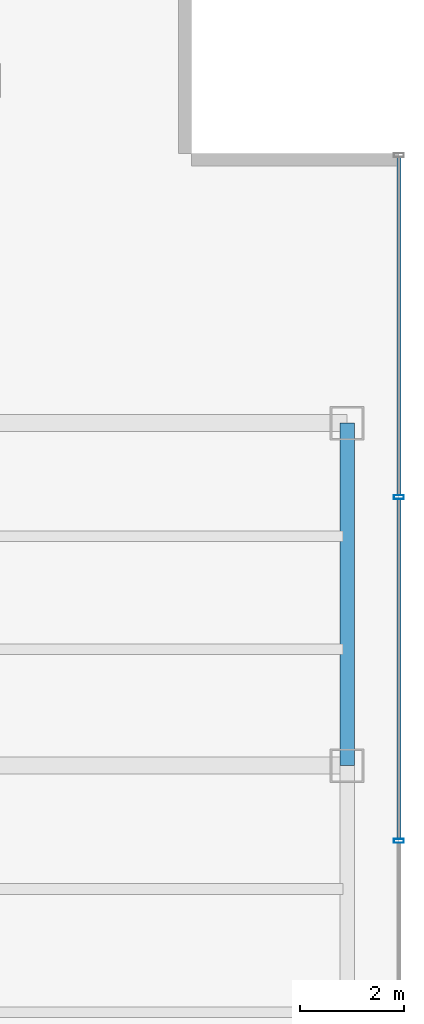
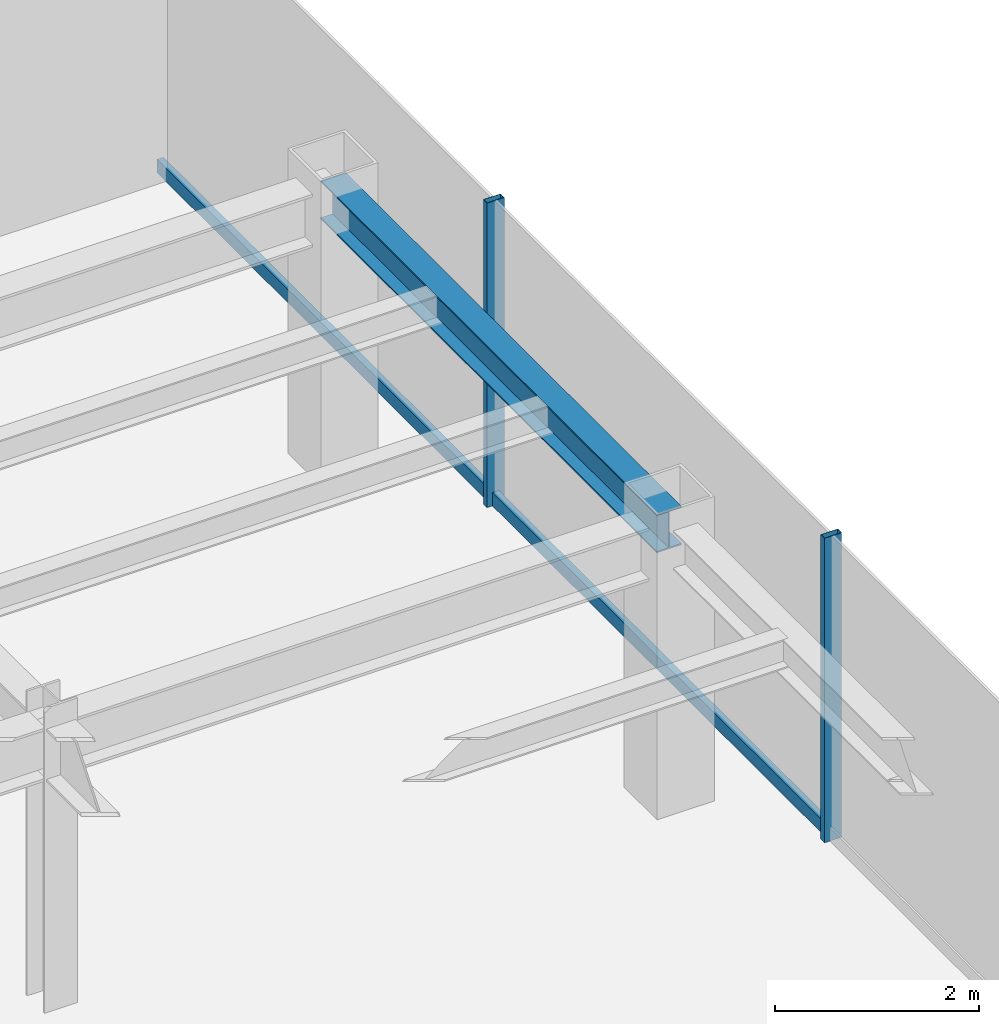
# One storey, part 13 of 25: 4 members, 1 beam, 1 element without a shape of its own.
"""IFC4 building model written with IfcOpenShell, lengths in metres."""

import ifcopenshell
import ifcopenshell.guid

model = None  # the IFC model being written
_history = None  # IfcOwnerHistory: only IFC2X3 demands one
_inside = {}  # id of a spatial element -> (the spatial element, [elements in it])
_under = {}  # id of a project, library or spatial element -> (it, [spatial elements below it])
_declared = {}  # id of a project -> (the project, [libraries it declares])
_typed = {}  # id of a type object -> (the type object, [elements of that type])
_made_of = {}  # id of a material, layer set ... -> (it, [elements and type objects made of it])


def new_model(schema):
    """Start an empty IFC model of exactly this schema.

    Asked for "IFC4X3", IfcOpenShell would pick the latest addendum, in which some entities
    have other attributes; the version numbers below select the first issue.
    IFC2X3 requires an IfcOwnerHistory on every rooted entity: one is made here for all.
    """
    global model, _history
    if schema == "IFC4X3":
        model = ifcopenshell.file(schema_version=(4, 3, 0, 0))
    else:
        model = ifcopenshell.file(schema=schema)
    _inside.clear()
    _under.clear()
    _declared.clear()
    _typed.clear()
    _made_of.clear()
    _history = None
    if model.schema == "IFC2X3":
        org = make("IfcOrganization", Name="unknown")
        user = make(
            "IfcPersonAndOrganization",
            ThePerson=make("IfcPerson", FamilyName="unknown"),
            TheOrganization=org,
        )
        app = make(
            "IfcApplication",
            ApplicationDeveloper=org,
            Version="unknown",
            ApplicationFullName="unknown",
            ApplicationIdentifier="unknown",
        )
        _history = make(
            "IfcOwnerHistory",
            OwningUser=user,
            OwningApplication=app,
            ChangeAction="ADDED",
            CreationDate=0,
        )
    return model


def make(cls, **values):
    """One entity of the class cls with the attributes given. An attribute that is None is left unset."""
    return model.create_entity(
        cls, **{name: value for name, value in values.items() if value is not None}
    )


def rooted(cls, **values):
    """An entity with a GlobalId (a new one), such as an element, a storey or a relation."""
    return make(cls, GlobalId=ifcopenshell.guid.new(), OwnerHistory=_history, **values)


def si_unit(unit_type, name, prefix=None):
    """IfcSIUnit, for example si_unit("LENGTHUNIT", "METRE", prefix="MILLI")."""
    return make("IfcSIUnit", UnitType=unit_type, Prefix=prefix, Name=name)


def derived_unit(unit_type, elements):
    """IfcDerivedUnit: a product of units, each with its exponent."""
    return make(
        "IfcDerivedUnit",
        Elements=[
            make("IfcDerivedUnitElement", Unit=unit, Exponent=power)
            for unit, power in elements
        ],
        UnitType=unit_type,
    )


def assignment(units):
    """IfcUnitAssignment: the units of a project."""
    return None if units is None else make("IfcUnitAssignment", Units=units)


def point(xyz):
    """IfcCartesianPoint."""
    return None if xyz is None else make("IfcCartesianPoint", Coordinates=xyz)


def direction(xyz):
    """IfcDirection."""
    return None if xyz is None else make("IfcDirection", DirectionRatios=xyz)


def frame(location, z_axis=None, x_axis=None):
    """IfcAxis2Placement3D, a coordinate frame: its origin and axes. An axis left out is left unset."""
    return make(
        "IfcAxis2Placement3D",
        Location=point(location),
        Axis=direction(z_axis),
        RefDirection=direction(x_axis),
    )


def frame_2d(location, x_axis=None):
    """IfcAxis2Placement2D, a coordinate frame in the plane: its origin and x axis."""
    return make(
        "IfcAxis2Placement2D", Location=point(location), RefDirection=direction(x_axis)
    )


def origin():
    """The frame at (0, 0, 0) with its axes left unset."""
    return frame((0.0, 0.0, 0.0))


def origin_2d():
    """The frame at (0, 0) in the plane with its x axis left unset."""
    return frame_2d((0.0, 0.0))


def place(relative_to, where):
    """IfcLocalPlacement: puts the frame where relative to a parent placement (None: the world)."""
    return make(
        "IfcLocalPlacement", PlacementRelTo=relative_to, RelativePlacement=where
    )


def context(
    kind, dimensions, precision=None, world=None, true_north=None, identifier=None
):
    """IfcGeometricRepresentationContext, for example the 3D "Model" context."""
    return make(
        "IfcGeometricRepresentationContext",
        ContextIdentifier=identifier,
        ContextType=kind,
        CoordinateSpaceDimension=dimensions,
        Precision=precision,
        WorldCoordinateSystem=world,
        TrueNorth=true_north,
    )


def subcontext(parent, identifier, kind, view, scale=None):
    """IfcGeometricRepresentationSubContext, for example "Body" below "Model"."""
    return make(
        "IfcGeometricRepresentationSubContext",
        ContextIdentifier=identifier,
        ContextType=kind,
        ParentContext=parent,
        TargetScale=scale,
        TargetView=view,
    )


def project(units=None, contexts=None):
    """IfcProject with its units and contexts."""
    return rooted(
        "IfcProject",
        Name="project",
        RepresentationContexts=contexts,
        UnitsInContext=assignment(units),
    )


def spatial(cls, under=None, at=None, **own):
    """A site, building, storey or space (cls), placed at a placement, below another one or the project."""
    s = rooted(cls, ObjectPlacement=at, **own)
    if under is not None:
        _under.setdefault(under.id(), (under, []))[1].append(s)
    return s


def profile(cls, at=None, kind="AREA", **sizes):
    """A parametric profile (cls). Its sizes go by their IFC names, for example OverallWidth=200.0."""
    return make(cls, ProfileType=kind, Position=at, **sizes)


def hollow_rectangle(**sizes):
    """IfcRectangleHollowProfileDef."""
    return profile("IfcRectangleHollowProfileDef", **sizes)


def i_section(**sizes):
    """IfcIShapeProfileDef."""
    return profile("IfcIShapeProfileDef", **sizes)


def extrude(swept, where, along, depth):
    """IfcExtrudedAreaSolid: the profile swept, set in the frame where, extruded along a direction by depth."""
    return make(
        "IfcExtrudedAreaSolid",
        SweptArea=swept,
        Position=where,
        ExtrudedDirection=direction(along),
        Depth=depth,
    )


def shape(context_of_items, identifier, shape_type, items):
    """IfcShapeRepresentation: the items that make up one representation, for example the "Body"."""
    return make(
        "IfcShapeRepresentation",
        ContextOfItems=context_of_items,
        RepresentationIdentifier=identifier,
        RepresentationType=shape_type,
        Items=items,
    )


def source(mapping_origin, context_of_items, identifier, shape_type, items):
    """IfcRepresentationMap: a shape defined once, which mapped items show again and again."""
    return make(
        "IfcRepresentationMap",
        MappingOrigin=mapping_origin,
        MappedRepresentation=shape(context_of_items, identifier, shape_type, items),
    )


def transform(
    local_origin,
    x_axis=None,
    y_axis=None,
    z_axis=None,
    scale=None,
    scale2=None,
    scale3=None,
    uniform=True,
):
    """IfcCartesianTransformationOperator3D, or its non-uniform kind. x_axis, y_axis, z_axis: its Axis1, 2, 3."""
    if uniform:
        return make(
            "IfcCartesianTransformationOperator3D",
            Axis1=direction(x_axis),
            Axis2=direction(y_axis),
            LocalOrigin=point(local_origin),
            Scale=scale,
            Axis3=direction(z_axis),
        )
    return make(
        "IfcCartesianTransformationOperator3DnonUniform",
        Axis1=direction(x_axis),
        Axis2=direction(y_axis),
        LocalOrigin=point(local_origin),
        Scale=scale,
        Axis3=direction(z_axis),
        Scale2=scale2,
        Scale3=scale3,
    )


def mapped(mapping_source, mapping_target):
    """IfcMappedItem: shows the shape of a source again, moved by a transform."""
    return make(
        "IfcMappedItem", MappingSource=mapping_source, MappingTarget=mapping_target
    )


def material(Name=None, Category=None):
    """IfcMaterial."""
    return make("IfcMaterial", Name=Name, Category=Category)


def material_profile(
    of_material, cross_section, Name=None, Category=None, Priority=None
):
    """IfcMaterialProfile: a cross section and its material."""
    return make(
        "IfcMaterialProfile",
        Name=Name,
        Material=of_material,
        Profile=cross_section,
        Priority=Priority,
        Category=Category,
    )


def profile_set(profiles, Name=None, composite=None):
    """IfcMaterialProfileSet."""
    return make(
        "IfcMaterialProfileSet",
        Name=Name,
        MaterialProfiles=profiles,
        CompositeProfile=composite,
    )


def made_of(thing, what):
    """Note that an element or type object is made of a material, layer set ...; save() writes the relation."""
    if what is not None:
        _made_of.setdefault(what.id(), (what, []))[1].append(thing)
    return thing


def type_object(cls, material=None, **own):
    """A type object (cls), such as IfcWallType, which elements share."""
    return made_of(rooted(cls, **own), material)


def element(
    cls,
    number,
    at=None,
    inside=None,
    cuts=None,
    type_object=None,
    material=None,
    context=None,
    identifier="Body",
    shape_type=None,
    held_by="IfcProductDefinitionShape",
    body=None,
    shapes=None,
    **own,
):
    """One element of the class cls, such as IfcWall. Its Tag is "e" and its number.

    at: its placement. inside: the storey or other place that contains it. cuts: it is an
    opening in that element (IfcRelVoidsElement). A single representation is given by context,
    identifier, shape_type and body (its items); several are given by shapes. held_by: the class
    of the entity that holds the representations. save() writes the other relations.
    """
    e = rooted(cls, Tag="e%d" % number, ObjectPlacement=at, **own)
    if body is not None:
        shapes = [shape(context, identifier, shape_type, body)]
    if shapes is not None:
        e.Representation = make(held_by, Representations=shapes)
    if inside is not None:
        _inside.setdefault(inside.id(), (inside, []))[1].append(e)
    if cuts is not None:
        rooted(
            "IfcRelVoidsElement", RelatingBuildingElement=cuts, RelatedOpeningElement=e
        )
    if type_object is not None:
        _typed.setdefault(type_object.id(), (type_object, []))[1].append(e)
    return made_of(e, material)


def aggregate(whole, parts):
    """IfcRelAggregates: a whole, such as a stair, and the parts it consists of."""
    return rooted("IfcRelAggregates", RelatingObject=whole, RelatedObjects=parts)


def save(model, path):
    """Write the relations noted so far, then the file.

    IfcRelAggregates (storeys below a building ...), IfcRelContainedInSpatialStructure (elements
    in a storey), IfcRelDefinesByType, IfcRelAssociatesMaterial and IfcRelDeclares: one each for
    every whole, place, type object, material and project.
    """
    for whole, parts in _under.values():
        aggregate(whole, parts)
    for where, things in _inside.values():
        rooted(
            "IfcRelContainedInSpatialStructure",
            RelatedElements=things,
            RelatingStructure=where,
        )
    for kind, things in _typed.values():
        rooted("IfcRelDefinesByType", RelatedObjects=things, RelatingType=kind)
    for what, things in _made_of.values():
        rooted("IfcRelAssociatesMaterial", RelatedObjects=things, RelatingMaterial=what)
    for by, libraries in _declared.values():
        rooted("IfcRelDeclares", RelatingContext=by, RelatedDefinitions=libraries)
    model.write(path)


model = new_model("IFC4")

# Units and contexts
model_context = context("Model", 3, precision=1e-05, world=origin(), true_north=direction((0.0, 1.0)))
body_context = subcontext(model_context, "Body", "Model", "MODEL_VIEW")
ifc_project = project(units=[si_unit("LENGTHUNIT", "METRE"), si_unit("AREAUNIT", "SQUARE_METRE"), si_unit("VOLUMEUNIT", "CUBIC_METRE"), si_unit("PLANEANGLEUNIT", "RADIAN"), si_unit("MASSUNIT", "GRAM", prefix="KILO"), derived_unit("THERMALTRANSMITTANCEUNIT", [(si_unit("POWERUNIT", "WATT"), 1), (si_unit("LENGTHUNIT", "METRE"), -2), (si_unit("THERMODYNAMICTEMPERATUREUNIT", "KELVIN"), -1)])], contexts=[model_context])

# Site, building, storey
site_placement = place(None, origin())
site = spatial("IfcSite", under=ifc_project, at=site_placement, CompositionType="ELEMENT")
building_placement = place(site_placement, origin())
building = spatial("IfcBuilding", under=site, at=building_placement, Name="Skarnbrae Concourse Arena and Tower", CompositionType="ELEMENT")
storey_placement = place(building_placement, frame((0.0, 0.0, 155.199951171875)))
storey = spatial("IfcBuildingStorey", under=building, at=storey_placement, Name="L39", CompositionType="ELEMENT", Elevation=155.199951171875)

# Beam
ifc_material_1 = material(Name="Steel CSA G40.21 350W", Category="steel")
ifc_material_profile_1 = material_profile(ifc_material_1, i_section(OverallWidth=0.280029296875, OverallDepth=0.462890625, WebThickness=0.0107421875, FlangeThickness=0.017333984375, at=origin_2d()), Name="W460X113")
ifc_profile_set_1 = profile_set([ifc_material_profile_1], Name="Steel CSA G40.21 350W")
beam_type = type_object("IfcBeamType", Name="BM-SPAN-W460X113", PredefinedType="SPANDREL", material=ifc_profile_set_1)
shared_shape_1 = source(origin(), body_context, "Body", "SweptSolid", [
    extrude(i_section(OverallWidth=0.280029296875, OverallDepth=0.462890625, WebThickness=0.0107421875, FlangeThickness=0.017333984375, at=origin_2d()), origin(), (0.0, 0.0, 1.0), 6.60009765625),
])
beam_placement = place(storey_placement, frame((49.0, 21.199951171875, 3.16845703125), z_axis=(0.0, 1.0, 0.0), x_axis=(-1.0, 0.0, 0.0)))
element("IfcBeam", 1, at=beam_placement, inside=storey, type_object=beam_type, Name="L39 Perimeter spandrel X49.0-3", PredefinedType="SPANDREL", context=body_context, shape_type="MappedRepresentation", body=[
    mapped(shared_shape_1, transform((0.0, 0.0, 0.0))),
])

# Curtain wall, members
ifc_material_2 = material(Name="Bronze anodised aluminium 6063-T6", Category="aluminium")
curtain_wall_type = type_object("IfcCurtainWallType", Name="CW-SYS-04-MIDZONE", PredefinedType="USERDEFINED", material=ifc_material_2)
curtain_wall_placement = place(storey_placement, origin())
curtain_wall = element("IfcCurtainWall", 2, at=curtain_wall_placement, inside=storey, type_object=curtain_wall_type, Name="L39 Unitised curtain wall CW-L39-E04", ObjectType="UNITISED CURTAIN WALL", PredefinedType="USERDEFINED")
ifc_material_profile_2 = material_profile(ifc_material_2, hollow_rectangle(XDim=0.074951171875, YDim=0.195068359375, WallThickness=0.00439453125, at=origin_2d()), Name="ALU-MULL-75X195")
ifc_profile_set_2 = profile_set([ifc_material_profile_2], Name="Bronze anodised aluminium 6063-T6")
member_type_1 = type_object("IfcMemberType", Name="CWM-CW-04", PredefinedType="MULLION", material=ifc_profile_set_2)
shared_shape_2 = source(origin(), body_context, "Body", "SweptSolid", [
    extrude(hollow_rectangle(XDim=0.074951171875, YDim=0.195068359375, WallThickness=0.00439453125, at=origin_2d()), origin(), (0.0, 0.0, 1.0), 3.650146484375),
])
member_1_placement = place(storey_placement, frame((50.0, 19.75, 0.0), z_axis=(0.0, 0.0, 1.0), x_axis=(0.0, 1.0, 0.0)))
member_1 = element("IfcMember", 3, at=member_1_placement, type_object=member_type_1, Name="CW-L39-E04 Mullion 3", PredefinedType="MULLION", context=body_context, shape_type="MappedRepresentation", body=[
    mapped(shared_shape_2, transform((0.0, 0.0, 0.0))),
])
member_2_placement = place(storey_placement, frame((50.0, 26.375, 0.0), z_axis=(0.0, 0.0, 1.0), x_axis=(0.0, 1.0, 0.0)))
member_2 = element("IfcMember", 4, at=member_2_placement, type_object=member_type_1, Name="CW-L39-E04 Mullion 4", PredefinedType="MULLION", context=body_context, shape_type="MappedRepresentation", body=[
    mapped(shared_shape_2, transform((0.0, 0.0, 0.0))),
])
ifc_material_profile_3 = material_profile(ifc_material_2, hollow_rectangle(XDim=0.074951171875, YDim=0.159912109375, WallThickness=0.00439453125, at=origin_2d()), Name="ALU-TRAN-75X160")
ifc_profile_set_3 = profile_set([ifc_material_profile_3], Name="Bronze anodised aluminium 6063-T6")
member_type_2 = type_object("IfcMemberType", Name="CWT-CW-04", PredefinedType="USERDEFINED", material=ifc_profile_set_3)
shared_shape_3 = source(origin(), body_context, "Body", "SweptSolid", [
    extrude(hollow_rectangle(XDim=0.074951171875, YDim=0.159912109375, WallThickness=0.00439453125, at=origin_2d()), origin(), (0.0, 0.0, 1.0), 6.512451171875),
])
member_3_placement = place(storey_placement, frame((50.0, 26.41259765625, 0.080078125), z_axis=(0.0, 1.0, 0.0), x_axis=(-1.0, 0.0, 0.0)))
member_3 = element("IfcMember", 5, at=member_3_placement, type_object=member_type_2, Name="CW-L39-E04 Transom 4", ObjectType="TRANSOM", PredefinedType="USERDEFINED", context=body_context, shape_type="MappedRepresentation", body=[
    mapped(shared_shape_3, transform((0.0, 0.0, 0.0))),
])
shared_shape_4 = source(origin(), body_context, "Body", "SweptSolid", [
    extrude(hollow_rectangle(XDim=0.074951171875, YDim=0.159912109375, WallThickness=0.00439453125, at=origin_2d()), origin(), (0.0, 0.0, 1.0), 6.5498046875),
])
member_4_placement = place(storey_placement, frame((50.0, 19.78759765625, 0.080078125), z_axis=(0.0, 1.0, 0.0), x_axis=(-1.0, 0.0, 0.0)))
member_4 = element("IfcMember", 6, at=member_4_placement, type_object=member_type_2, Name="CW-L39-E04 Transom 3", ObjectType="TRANSOM", PredefinedType="USERDEFINED", context=body_context, shape_type="MappedRepresentation", body=[
    mapped(shared_shape_4, transform((0.0, 0.0, 0.0))),
])
aggregate(curtain_wall, [member_1, member_2, member_4, member_3])

save(model, "model.ifc")
